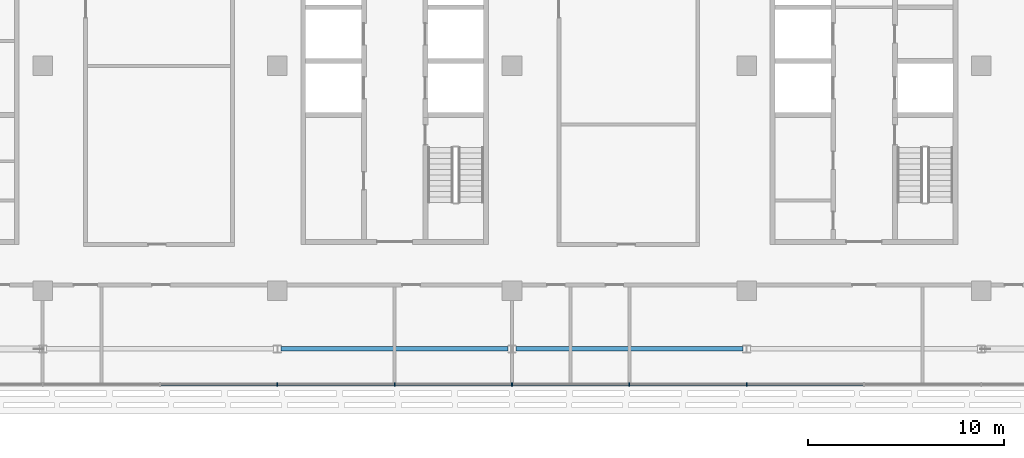
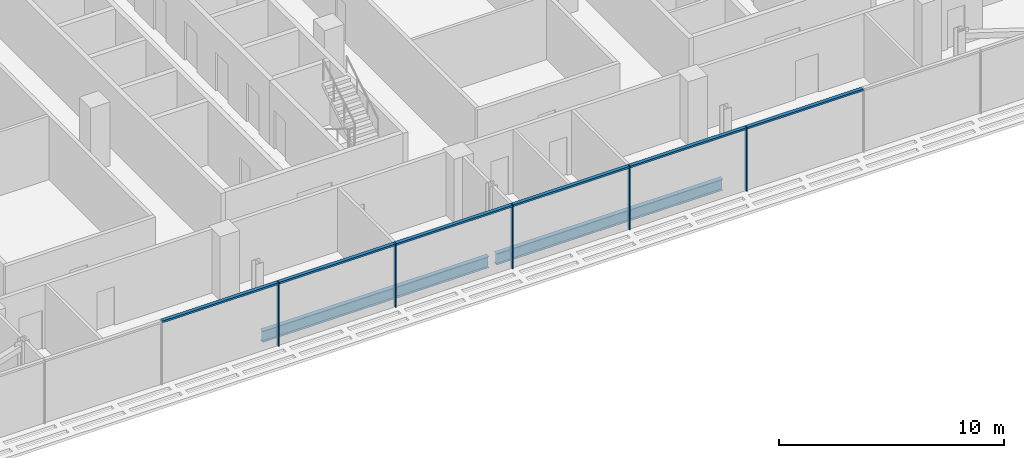
# One storey, part 8 of 32: 11 members, 2 beams, 1 element without a shape of its own.
"""IFC4 building model written with IfcOpenShell, lengths in metres."""

from ifc_helpers import new_model, si_unit, direction, frame, origin, origin_2d, place, context, subcontext, project, spatial, rectangle, i_section, extrude, material, material_profile, profile_set, type_object, element, aggregate, save


model = new_model("IFC4")

# Units and contexts
model_context = context("Model", 3, precision=1e-05, world=origin(), true_north=direction((0.0, 1.0)))
body_context = subcontext(model_context, "Body", "Model", "MODEL_VIEW")
ifc_project = project(units=[si_unit("LENGTHUNIT", "METRE"), si_unit("AREAUNIT", "SQUARE_METRE"), si_unit("VOLUMEUNIT", "CUBIC_METRE"), si_unit("PLANEANGLEUNIT", "RADIAN"), si_unit("MASSUNIT", "GRAM", prefix="KILO")], contexts=[model_context])

# Site, building, storey
site_placement = place(None, origin())
site = spatial("IfcSite", under=ifc_project, at=site_placement, CompositionType="ELEMENT")
building_placement = place(site_placement, origin())
building = spatial("IfcBuilding", under=site, at=building_placement, Name="Mahtab Terrace Research Tower", CompositionType="ELEMENT")
storey_placement = place(building_placement, frame((0.0, 0.0, 236.199951171875)))
storey = spatial("IfcBuildingStorey", under=building, at=storey_placement, Name="L57", CompositionType="ELEMENT", Elevation=236.199951171875)

# Curtain wall, members
ifc_material_1 = material(Name="Office ribbon curtain wall")
curtain_wall_type = type_object("IfcCurtainWallType", Name="Office ribbon curtain wall", PredefinedType="NOTDEFINED", material=ifc_material_1)
curtain_wall_placement = place(storey_placement, origin())
curtain_wall = element("IfcCurtainWall", 1, at=curtain_wall_placement, inside=storey, type_object=curtain_wall_type, Name="EN.L57.13.16", PredefinedType="NOTDEFINED")
ifc_material_2 = material(Name="Natural anodised aluminium", Category="aluminium")
ifc_material_profile_1 = material_profile(ifc_material_2, rectangle(XDim=0.179931640625, YDim=0.06005859375, at=origin_2d()), Name="MULLION 60x180")
ifc_profile_set_1 = profile_set([ifc_material_profile_1], Name="Natural anodised aluminium")
member_type_1 = type_object("IfcMemberType", Name="Office ribbon curtain wall mullion", PredefinedType="MULLION", material=ifc_profile_set_1)
member_1_placement = place(storey_placement, frame((-6.0, -16.278076171875, 0.0), z_axis=(0.0, 0.0, 1.0), x_axis=(0.0, 1.0, 0.0)))
member_1 = element("IfcMember", 2, at=member_1_placement, type_object=member_type_1, Name="CWO-7 mullion 6", PredefinedType="MULLION", context=body_context, shape_type="SweptSolid", body=[
    extrude(rectangle(XDim=0.179931640625, YDim=0.06005859375, at=origin_2d()), origin(), (0.0, 0.0, 1.0), 3.4599609375),
])
member_2_placement = place(storey_placement, frame((0.0, -16.278076171875, 0.0), z_axis=(0.0, 0.0, 1.0), x_axis=(0.0, 1.0, 0.0)))
member_2 = element("IfcMember", 3, at=member_2_placement, type_object=member_type_1, Name="CWO-7 mullion 7", PredefinedType="MULLION", context=body_context, shape_type="SweptSolid", body=[
    extrude(rectangle(XDim=0.179931640625, YDim=0.06005859375, at=origin_2d()), origin(), (0.0, 0.0, 1.0), 3.4599609375),
])
member_3_placement = place(storey_placement, frame((6.0, -16.278076171875, 0.0), z_axis=(0.0, 0.0, 1.0), x_axis=(0.0, 1.0, 0.0)))
member_3 = element("IfcMember", 4, at=member_3_placement, type_object=member_type_1, Name="CWO-7 mullion 8", PredefinedType="MULLION", context=body_context, shape_type="SweptSolid", body=[
    extrude(rectangle(XDim=0.179931640625, YDim=0.06005859375, at=origin_2d()), origin(), (0.0, 0.0, 1.0), 3.4599609375),
])
member_4_placement = place(storey_placement, frame((12.0, -16.278076171875, 0.0), z_axis=(0.0, 0.0, 1.0), x_axis=(0.0, 1.0, 0.0)))
member_4 = element("IfcMember", 5, at=member_4_placement, type_object=member_type_1, Name="CWO-7 mullion 9", PredefinedType="MULLION", context=body_context, shape_type="SweptSolid", body=[
    extrude(rectangle(XDim=0.179931640625, YDim=0.06005859375, at=origin_2d()), origin(), (0.0, 0.0, 1.0), 3.4599609375),
])
member_5_placement = place(storey_placement, frame((18.0, -16.278076171875, 0.0), z_axis=(0.0, 0.0, 1.0), x_axis=(0.0, 1.0, 0.0)))
member_5 = element("IfcMember", 6, at=member_5_placement, type_object=member_type_1, Name="CWO-7 mullion 10", PredefinedType="MULLION", context=body_context, shape_type="SweptSolid", body=[
    extrude(rectangle(XDim=0.179931640625, YDim=0.06005859375, at=origin_2d()), origin(), (0.0, 0.0, 1.0), 3.4599609375),
])
ifc_material_profile_2 = material_profile(ifc_material_2, rectangle(XDim=0.179931640625, YDim=0.10009765625, at=origin_2d()), Name="TRANSOM 100x180")
ifc_profile_set_2 = profile_set([ifc_material_profile_2], Name="Natural anodised aluminium")
member_type_2 = type_object("IfcMemberType", Name="Office ribbon curtain wall transom", PredefinedType="USERDEFINED", material=ifc_profile_set_2)
member_6_placement = place(storey_placement, frame((-11.969970703125, -16.278076171875, 3.41015625), z_axis=(1.0, 0.0, 0.0), x_axis=(0.0, 1.0, 0.0)))
member_6 = element("IfcMember", 7, at=member_6_placement, type_object=member_type_2, Name="CWO-7 transom 5", ObjectType="TRANSOM", PredefinedType="USERDEFINED", context=body_context, shape_type="SweptSolid", body=[
    extrude(rectangle(XDim=0.179931640625, YDim=0.10009765625, at=origin_2d()), origin(), (0.0, 0.0, 1.0), 5.93994140625),
])
member_7_placement = place(storey_placement, frame((-5.969970703125, -16.278076171875, 3.41015625), z_axis=(1.0, 0.0, 0.0), x_axis=(0.0, 1.0, 0.0)))
member_7 = element("IfcMember", 8, at=member_7_placement, type_object=member_type_2, Name="CWO-7 transom 6", ObjectType="TRANSOM", PredefinedType="USERDEFINED", context=body_context, shape_type="SweptSolid", body=[
    extrude(rectangle(XDim=0.179931640625, YDim=0.10009765625, at=origin_2d()), origin(), (0.0, 0.0, 1.0), 5.93994140625),
])
member_8_placement = place(storey_placement, frame((0.030029296875, -16.278076171875, 3.41015625), z_axis=(1.0, 0.0, 0.0), x_axis=(0.0, 1.0, 0.0)))
member_8 = element("IfcMember", 9, at=member_8_placement, type_object=member_type_2, Name="CWO-7 transom 7", ObjectType="TRANSOM", PredefinedType="USERDEFINED", context=body_context, shape_type="SweptSolid", body=[
    extrude(rectangle(XDim=0.179931640625, YDim=0.10009765625, at=origin_2d()), origin(), (0.0, 0.0, 1.0), 5.93994140625),
])
member_9_placement = place(storey_placement, frame((6.030029296875, -16.278076171875, 3.41015625), z_axis=(1.0, 0.0, 0.0), x_axis=(0.0, 1.0, 0.0)))
member_9 = element("IfcMember", 10, at=member_9_placement, type_object=member_type_2, Name="CWO-7 transom 8", ObjectType="TRANSOM", PredefinedType="USERDEFINED", context=body_context, shape_type="SweptSolid", body=[
    extrude(rectangle(XDim=0.179931640625, YDim=0.10009765625, at=origin_2d()), origin(), (0.0, 0.0, 1.0), 5.93994140625),
])
member_10_placement = place(storey_placement, frame((12.030029296875, -16.278076171875, 3.41015625), z_axis=(1.0, 0.0, 0.0), x_axis=(0.0, 1.0, 0.0)))
member_10 = element("IfcMember", 11, at=member_10_placement, type_object=member_type_2, Name="CWO-7 transom 9", ObjectType="TRANSOM", PredefinedType="USERDEFINED", context=body_context, shape_type="SweptSolid", body=[
    extrude(rectangle(XDim=0.179931640625, YDim=0.10009765625, at=origin_2d()), origin(), (0.0, 0.0, 1.0), 5.93994140625),
])
member_11_placement = place(storey_placement, frame((18.030029296875, -16.278076171875, 3.41015625), z_axis=(1.0, 0.0, 0.0), x_axis=(0.0, 1.0, 0.0)))
member_11 = element("IfcMember", 12, at=member_11_placement, type_object=member_type_2, Name="CWO-7 transom 10", ObjectType="TRANSOM", PredefinedType="USERDEFINED", context=body_context, shape_type="SweptSolid", body=[
    extrude(rectangle(XDim=0.179931640625, YDim=0.10009765625, at=origin_2d()), origin(), (0.0, 0.0, 1.0), 5.93994140625),
])
aggregate(curtain_wall, [member_1, member_2, member_3, member_4, member_5, member_6, member_7, member_8, member_9, member_10, member_11])

# Beams
ifc_material_3 = material(Name="Steel ASTM A992 Gr 50", Category="steel")
ifc_material_profile_3 = material_profile(ifc_material_3, i_section(OverallWidth=0.228271484375, OverallDepth=0.607177734375, WebThickness=0.01123046875, FlangeThickness=0.017333984375, at=origin_2d()), Name="W24X76")
ifc_profile_set_3 = profile_set([ifc_material_profile_3], Name="Steel ASTM A992 Gr 50")
beam_type = type_object("IfcBeamType", Name="W24x76 beam BS2476", PredefinedType="BEAM", material=ifc_profile_set_3)
for number, where, z_axis, x_axis, name in (
    (13, (-5.800537109375, -14.472900390625, -0.6435546875), (1.0, 0.0, 0.0), (0.0, 1.0, 0.0), "Spandrel beam L57 15"),
    (14, (6.199462890625, -14.472900390625, -0.6435546875), (1.0, 0.0, 0.0), (0.0, 1.0, 0.0), "Spandrel beam L57 16"),
):
    element("IfcBeam", number, at=place(storey_placement, frame(where, z_axis=z_axis, x_axis=x_axis)), inside=storey, type_object=beam_type, Name=name, PredefinedType="BEAM", context=body_context, shape_type="SweptSolid", body=[
        extrude(i_section(OverallWidth=0.228271484375, OverallDepth=0.607177734375, WebThickness=0.01123046875, FlangeThickness=0.017333984375, at=origin_2d()), origin(), (0.0, 0.0, 1.0), 11.60107421875),
    ])

save(model, "model.ifc")
